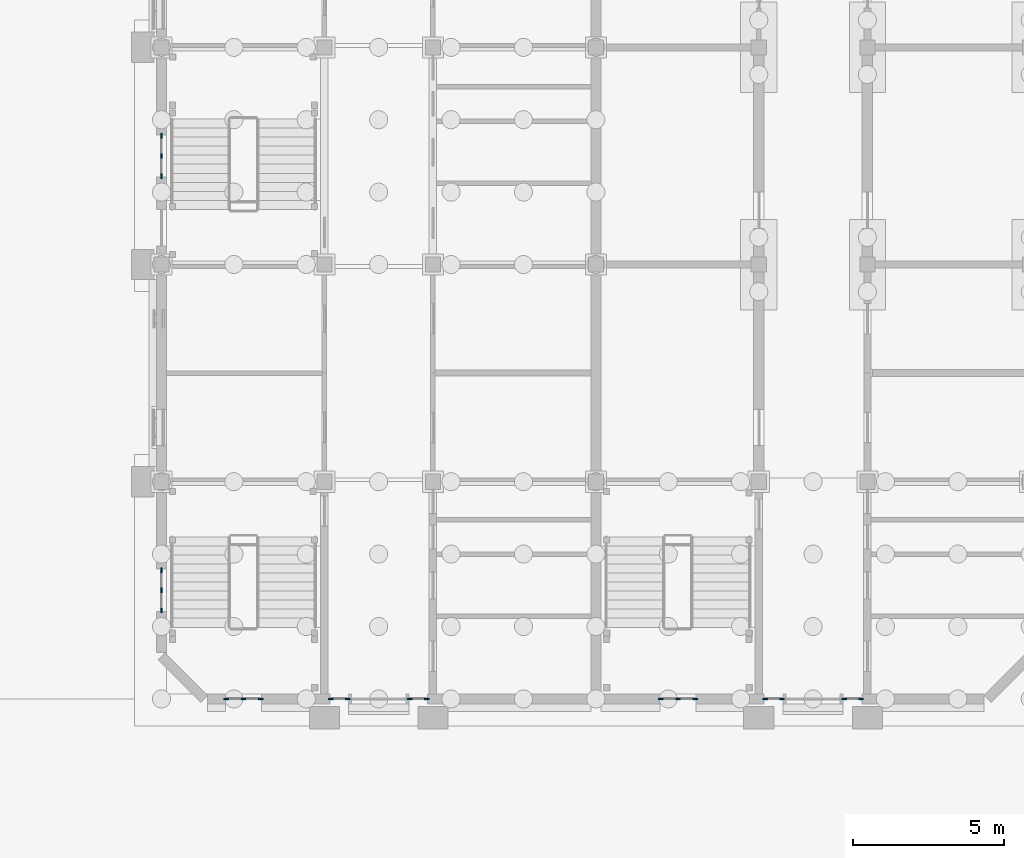
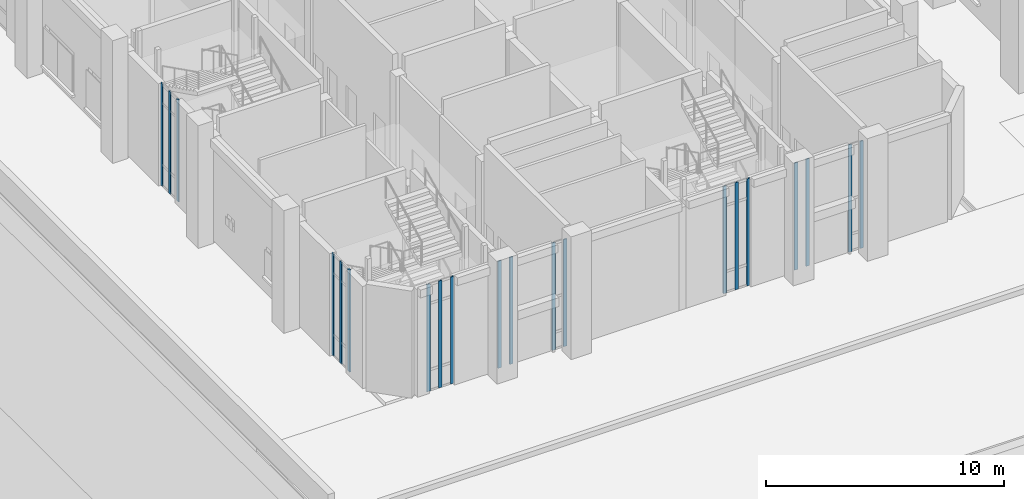
# One storey, part 8 of 84: 20 members, 8 elements without a shape of their own.
"""IFC4 building model written with IfcOpenShell, lengths in metres."""

from ifc_helpers import new_model, si_unit, direction, frame, origin, origin_2d, place, context, subcontext, project, spatial, rectangle, extrude, material, layer, layer_set, material_profile, profile_set, type_object, element, aggregate, save


model = new_model("IFC4")

# Units and contexts
model_context = context("Model", 3, precision=1e-05, world=origin(), true_north=direction((0.0, 1.0)))
body_context = subcontext(model_context, "Body", "Model", "MODEL_VIEW")
ifc_project = project(units=[si_unit("LENGTHUNIT", "METRE"), si_unit("AREAUNIT", "SQUARE_METRE"), si_unit("VOLUMEUNIT", "CUBIC_METRE"), si_unit("PLANEANGLEUNIT", "RADIAN"), si_unit("MASSUNIT", "GRAM", prefix="KILO")], contexts=[model_context])

# Site, building, storey
site_placement = place(None, origin())
site = spatial("IfcSite", under=ifc_project, at=site_placement, CompositionType="ELEMENT")
building_placement = place(site_placement, origin())
building = spatial("IfcBuilding", under=site, at=building_placement, Name="Mazhai Court Health Centre", CompositionType="ELEMENT")
storey_placement = place(building_placement, origin())
storey = spatial("IfcBuildingStorey", under=building, at=storey_placement, Name="L00", CompositionType="ELEMENT", Elevation=0.0)

# Curtain wall, members
ifc_material_1 = material(Name="Teak timber frame, glazed", Category="wood")
ifc_layer_1 = layer(ifc_material_1, 0.10009765625)
ifc_layer_set_1 = layer_set([ifc_layer_1], Name="CURTAIN WALL TIMBER 600")
curtain_wall_type_1 = type_object("IfcCurtainWallType", Name="CURTAIN WALL TIMBER 600", PredefinedType="NOTDEFINED", material=ifc_layer_set_1)
curtain_wall_1_placement = place(storey_placement, origin())
curtain_wall_1 = element("IfcCurtainWall", 1, at=curtain_wall_1_placement, inside=storey, type_object=curtain_wall_type_1, Name="CW-V2-L00-A0", PredefinedType="NOTDEFINED")
ifc_material_2 = material(Name="Teak timber", Category="wood")
ifc_material_profile = material_profile(ifc_material_2, rectangle(XDim=0.06005859375, YDim=0.159912109375, at=origin_2d()), Name="CW MULLION 60x160")
ifc_profile_set = profile_set([ifc_material_profile], Name="Teak timber")
member_type = type_object("IfcMemberType", Name="CW MULLION 60x160", PredefinedType="MULLION", material=ifc_profile_set)
member_1_placement = place(storey_placement, frame((6.199951171875, 9.1298828125, 0.0), z_axis=(0.0, 0.0, 1.0), x_axis=(-1.0, 0.0, 0.0)))
member_1 = element("IfcMember", 2, at=member_1_placement, type_object=member_type, Name="CW mullion 1", PredefinedType="MULLION", context=body_context, shape_type="SweptSolid", body=[
    extrude(rectangle(XDim=0.06005859375, YDim=0.159912109375, at=origin_2d()), origin(), (0.0, 0.0, 1.0), 5.25),
])
member_2_placement = place(storey_placement, frame((6.199951171875, 9.800048828125, 0.0), z_axis=(0.0, 0.0, 1.0), x_axis=(-1.0, 0.0, 0.0)))
member_2 = element("IfcMember", 3, at=member_2_placement, type_object=member_type, Name="CW mullion 2", PredefinedType="MULLION", context=body_context, shape_type="SweptSolid", body=[
    extrude(rectangle(XDim=0.06005859375, YDim=0.159912109375, at=origin_2d()), origin(), (0.0, 0.0, 1.0), 5.25),
])
member_3_placement = place(storey_placement, frame((6.199951171875, 10.469970703125, 0.0), z_axis=(0.0, 0.0, 1.0), x_axis=(-1.0, 0.0, 0.0)))
member_3 = element("IfcMember", 4, at=member_3_placement, type_object=member_type, Name="CW mullion 3", PredefinedType="MULLION", context=body_context, shape_type="SweptSolid", body=[
    extrude(rectangle(XDim=0.06005859375, YDim=0.159912109375, at=origin_2d()), origin(), (0.0, 0.0, 1.0), 5.25),
])
aggregate(curtain_wall_1, [member_1, member_2, member_3])

curtain_wall_2_placement = place(storey_placement, origin())
curtain_wall_2 = element("IfcCurtainWall", 5, at=curtain_wall_2_placement, inside=storey, type_object=curtain_wall_type_1, Name="CW-V2-L00-A2", PredefinedType="NOTDEFINED")
member_4_placement = place(storey_placement, frame((6.199951171875, 23.530029296875, 0.0), z_axis=(0.0, 0.0, 1.0), x_axis=(-1.0, 0.0, 0.0)))
member_4 = element("IfcMember", 6, at=member_4_placement, type_object=member_type, Name="CW mullion 1", PredefinedType="MULLION", context=body_context, shape_type="SweptSolid", body=[
    extrude(rectangle(XDim=0.06005859375, YDim=0.159912109375, at=origin_2d()), origin(), (0.0, 0.0, 1.0), 5.25),
])
member_5_placement = place(storey_placement, frame((6.199951171875, 24.199951171875, 0.0), z_axis=(0.0, 0.0, 1.0), x_axis=(-1.0, 0.0, 0.0)))
member_5 = element("IfcMember", 7, at=member_5_placement, type_object=member_type, Name="CW mullion 2", PredefinedType="MULLION", context=body_context, shape_type="SweptSolid", body=[
    extrude(rectangle(XDim=0.06005859375, YDim=0.159912109375, at=origin_2d()), origin(), (0.0, 0.0, 1.0), 5.25),
])
member_6_placement = place(storey_placement, frame((6.199951171875, 24.8701171875, 0.0), z_axis=(0.0, 0.0, 1.0), x_axis=(-1.0, 0.0, 0.0)))
member_6 = element("IfcMember", 8, at=member_6_placement, type_object=member_type, Name="CW mullion 3", PredefinedType="MULLION", context=body_context, shape_type="SweptSolid", body=[
    extrude(rectangle(XDim=0.06005859375, YDim=0.159912109375, at=origin_2d()), origin(), (0.0, 0.0, 1.0), 5.25),
])
aggregate(curtain_wall_2, [member_4, member_5, member_6])

curtain_wall_3_placement = place(storey_placement, origin())
curtain_wall_3 = element("IfcCurtainWall", 9, at=curtain_wall_3_placement, inside=storey, type_object=curtain_wall_type_1, Name="CW-V2-L00-SSTAIR0", PredefinedType="NOTDEFINED")
member_7_placement = place(storey_placement, frame((9.489990234375, 6.199951171875, 0.0), z_axis=(0.0, 0.0, 1.0), x_axis=(0.0, -1.0, 0.0)))
member_7 = element("IfcMember", 10, at=member_7_placement, type_object=member_type, Name="CW mullion 1", PredefinedType="MULLION", context=body_context, shape_type="SweptSolid", body=[
    extrude(rectangle(XDim=0.06005859375, YDim=0.159912109375, at=origin_2d()), origin(), (0.0, 0.0, 1.0), 5.5),
])
member_8_placement = place(storey_placement, frame((8.919921875, 6.199951171875, 0.0), z_axis=(0.0, 0.0, 1.0), x_axis=(0.0, -1.0, 0.0)))
member_8 = element("IfcMember", 11, at=member_8_placement, type_object=member_type, Name="CW mullion 2", PredefinedType="MULLION", context=body_context, shape_type="SweptSolid", body=[
    extrude(rectangle(XDim=0.06005859375, YDim=0.159912109375, at=origin_2d()), origin(), (0.0, 0.0, 1.0), 5.5),
])
member_9_placement = place(storey_placement, frame((8.35009765625, 6.199951171875, 0.0), z_axis=(0.0, 0.0, 1.0), x_axis=(0.0, -1.0, 0.0)))
member_9 = element("IfcMember", 12, at=member_9_placement, type_object=member_type, Name="CW mullion 3", PredefinedType="MULLION", context=body_context, shape_type="SweptSolid", body=[
    extrude(rectangle(XDim=0.06005859375, YDim=0.159912109375, at=origin_2d()), origin(), (0.0, 0.0, 1.0), 5.5),
])
aggregate(curtain_wall_3, [member_7, member_8, member_9])

ifc_material_3 = material(Name="Teak timber frame, glazed", Category="wood")
ifc_layer_2 = layer(ifc_material_3, 0.10009765625)
ifc_layer_set_2 = layer_set([ifc_layer_2], Name="CURTAIN WALL TIMBER 620")
curtain_wall_type_2 = type_object("IfcCurtainWallType", Name="CURTAIN WALL TIMBER 620", PredefinedType="NOTDEFINED", material=ifc_layer_set_2)
curtain_wall_4_placement = place(storey_placement, origin())
curtain_wall_4 = element("IfcCurtainWall", 13, at=curtain_wall_4_placement, inside=storey, type_object=curtain_wall_type_2, Name="CW-V2-L00-SSL1", PredefinedType="NOTDEFINED")
member_10_placement = place(storey_placement, frame((12.3701171875, 6.199951171875, 0.0), z_axis=(0.0, 0.0, 1.0), x_axis=(0.0, -1.0, 0.0)))
member_10 = element("IfcMember", 14, at=member_10_placement, type_object=member_type, Name="CW mullion 1", PredefinedType="MULLION", context=body_context, shape_type="SweptSolid", body=[
    extrude(rectangle(XDim=0.06005859375, YDim=0.159912109375, at=origin_2d()), origin(), (0.0, 0.0, 1.0), 5.5),
])
member_11_placement = place(storey_placement, frame((11.81005859375, 6.199951171875, 0.0), z_axis=(0.0, 0.0, 1.0), x_axis=(0.0, -1.0, 0.0)))
member_11 = element("IfcMember", 15, at=member_11_placement, type_object=member_type, Name="CW mullion 2", PredefinedType="MULLION", context=body_context, shape_type="SweptSolid", body=[
    extrude(rectangle(XDim=0.06005859375, YDim=0.159912109375, at=origin_2d()), origin(), (0.0, 0.0, 1.0), 5.5),
])
aggregate(curtain_wall_4, [member_10, member_11])

curtain_wall_5_placement = place(storey_placement, origin())
curtain_wall_5 = element("IfcCurtainWall", 16, at=curtain_wall_5_placement, inside=storey, type_object=curtain_wall_type_2, Name="CW-V2-L00-SSL2", PredefinedType="NOTDEFINED")
member_12_placement = place(storey_placement, frame((14.989990234375, 6.199951171875, 0.0), z_axis=(0.0, 0.0, 1.0), x_axis=(0.0, -1.0, 0.0)))
member_12 = element("IfcMember", 17, at=member_12_placement, type_object=member_type, Name="CW mullion 1", PredefinedType="MULLION", context=body_context, shape_type="SweptSolid", body=[
    extrude(rectangle(XDim=0.06005859375, YDim=0.159912109375, at=origin_2d()), origin(), (0.0, 0.0, 1.0), 5.5),
])
member_13_placement = place(storey_placement, frame((14.429931640625, 6.199951171875, 0.0), z_axis=(0.0, 0.0, 1.0), x_axis=(0.0, -1.0, 0.0)))
member_13 = element("IfcMember", 18, at=member_13_placement, type_object=member_type, Name="CW mullion 2", PredefinedType="MULLION", context=body_context, shape_type="SweptSolid", body=[
    extrude(rectangle(XDim=0.06005859375, YDim=0.159912109375, at=origin_2d()), origin(), (0.0, 0.0, 1.0), 5.5),
])
aggregate(curtain_wall_5, [member_12, member_13])

curtain_wall_6_placement = place(storey_placement, origin())
curtain_wall_6 = element("IfcCurtainWall", 19, at=curtain_wall_6_placement, inside=storey, type_object=curtain_wall_type_1, Name="CW-V5-L00-SSTAIR0", PredefinedType="NOTDEFINED")
member_14_placement = place(storey_placement, frame((23.889892578125, 6.199951171875, 0.0), z_axis=(0.0, 0.0, 1.0), x_axis=(0.0, -1.0, 0.0)))
member_14 = element("IfcMember", 20, at=member_14_placement, type_object=member_type, Name="CW mullion 1", PredefinedType="MULLION", context=body_context, shape_type="SweptSolid", body=[
    extrude(rectangle(XDim=0.06005859375, YDim=0.159912109375, at=origin_2d()), origin(), (0.0, 0.0, 1.0), 5.5),
])
member_15_placement = place(storey_placement, frame((23.320068359375, 6.199951171875, 0.0), z_axis=(0.0, 0.0, 1.0), x_axis=(0.0, -1.0, 0.0)))
member_15 = element("IfcMember", 21, at=member_15_placement, type_object=member_type, Name="CW mullion 2", PredefinedType="MULLION", context=body_context, shape_type="SweptSolid", body=[
    extrude(rectangle(XDim=0.06005859375, YDim=0.159912109375, at=origin_2d()), origin(), (0.0, 0.0, 1.0), 5.5),
])
member_16_placement = place(storey_placement, frame((22.75, 6.199951171875, 0.0), z_axis=(0.0, 0.0, 1.0), x_axis=(0.0, -1.0, 0.0)))
member_16 = element("IfcMember", 22, at=member_16_placement, type_object=member_type, Name="CW mullion 3", PredefinedType="MULLION", context=body_context, shape_type="SweptSolid", body=[
    extrude(rectangle(XDim=0.06005859375, YDim=0.159912109375, at=origin_2d()), origin(), (0.0, 0.0, 1.0), 5.5),
])
aggregate(curtain_wall_6, [member_14, member_15, member_16])

curtain_wall_7_placement = place(storey_placement, origin())
curtain_wall_7 = element("IfcCurtainWall", 23, at=curtain_wall_7_placement, inside=storey, type_object=curtain_wall_type_2, Name="CW-V5-L00-SSL1", PredefinedType="NOTDEFINED")
member_17_placement = place(storey_placement, frame((26.77001953125, 6.199951171875, 0.0), z_axis=(0.0, 0.0, 1.0), x_axis=(0.0, -1.0, 0.0)))
member_17 = element("IfcMember", 24, at=member_17_placement, type_object=member_type, Name="CW mullion 1", PredefinedType="MULLION", context=body_context, shape_type="SweptSolid", body=[
    extrude(rectangle(XDim=0.06005859375, YDim=0.159912109375, at=origin_2d()), origin(), (0.0, 0.0, 1.0), 5.5),
])
member_18_placement = place(storey_placement, frame((26.2099609375, 6.199951171875, 0.0), z_axis=(0.0, 0.0, 1.0), x_axis=(0.0, -1.0, 0.0)))
member_18 = element("IfcMember", 25, at=member_18_placement, type_object=member_type, Name="CW mullion 2", PredefinedType="MULLION", context=body_context, shape_type="SweptSolid", body=[
    extrude(rectangle(XDim=0.06005859375, YDim=0.159912109375, at=origin_2d()), origin(), (0.0, 0.0, 1.0), 5.5),
])
aggregate(curtain_wall_7, [member_17, member_18])

curtain_wall_8_placement = place(storey_placement, origin())
curtain_wall_8 = element("IfcCurtainWall", 26, at=curtain_wall_8_placement, inside=storey, type_object=curtain_wall_type_2, Name="CW-V5-L00-SSL2", PredefinedType="NOTDEFINED")
member_19_placement = place(storey_placement, frame((29.389892578125, 6.199951171875, 0.0), z_axis=(0.0, 0.0, 1.0), x_axis=(0.0, -1.0, 0.0)))
member_19 = element("IfcMember", 27, at=member_19_placement, type_object=member_type, Name="CW mullion 1", PredefinedType="MULLION", context=body_context, shape_type="SweptSolid", body=[
    extrude(rectangle(XDim=0.06005859375, YDim=0.159912109375, at=origin_2d()), origin(), (0.0, 0.0, 1.0), 5.5),
])
member_20_placement = place(storey_placement, frame((28.830078125, 6.199951171875, 0.0), z_axis=(0.0, 0.0, 1.0), x_axis=(0.0, -1.0, 0.0)))
member_20 = element("IfcMember", 28, at=member_20_placement, type_object=member_type, Name="CW mullion 2", PredefinedType="MULLION", context=body_context, shape_type="SweptSolid", body=[
    extrude(rectangle(XDim=0.06005859375, YDim=0.159912109375, at=origin_2d()), origin(), (0.0, 0.0, 1.0), 5.5),
])
aggregate(curtain_wall_8, [member_19, member_20])

save(model, "model.ifc")
